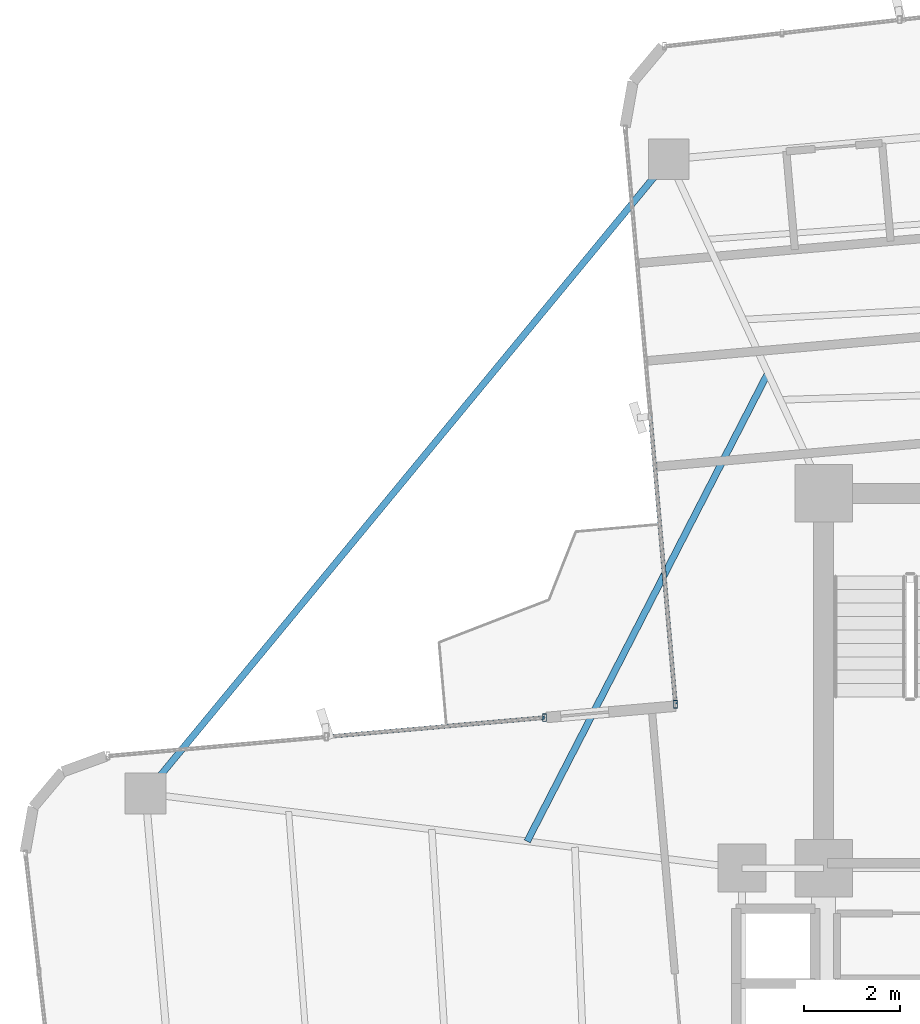
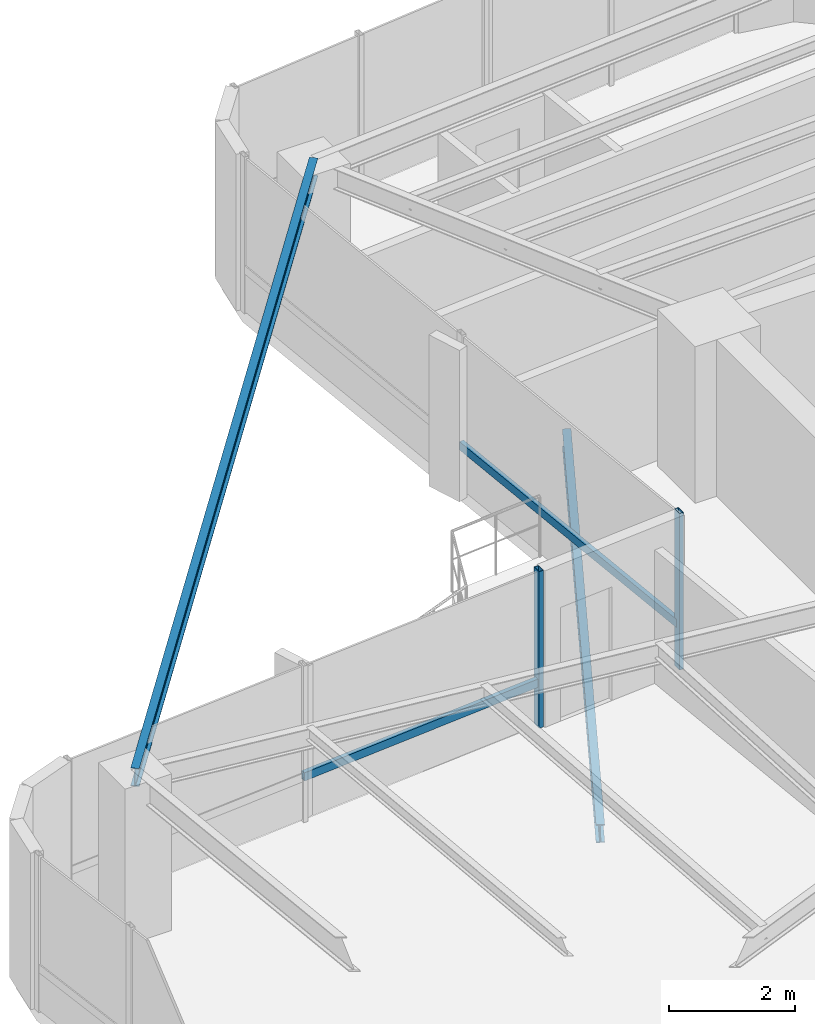
# One storey, part 10 of 24: 4 members, 2 beams, 2 elements without a shape of their own.
"""IFC4 building model written with IfcOpenShell, lengths in metres."""

from ifc_helpers import new_model, si_unit, direction, frame, origin, origin_2d, place, context, subcontext, project, spatial, hollow_rectangle, i_section, extrude, source, transform, mapped, material, material_profile, profile_set, type_object, element, aggregate, save


model = new_model("IFC4")

# Units and contexts
model_context = context("Model", 3, precision=1e-05, world=origin(), true_north=direction((0.0, 1.0)))
body_context = subcontext(model_context, "Body", "Model", "MODEL_VIEW")
ifc_project = project(units=[si_unit("LENGTHUNIT", "METRE"), si_unit("AREAUNIT", "SQUARE_METRE"), si_unit("VOLUMEUNIT", "CUBIC_METRE"), si_unit("PLANEANGLEUNIT", "RADIAN"), si_unit("MASSUNIT", "GRAM", prefix="KILO")], contexts=[model_context])

# Site, building, storey
site_placement = place(None, origin())
site = spatial("IfcSite", under=ifc_project, at=site_placement, CompositionType="ELEMENT")
building_placement = place(site_placement, origin())
building = spatial("IfcBuilding", under=site, at=building_placement, Name="Sahyath Konkavel Grand Hotel", CompositionType="ELEMENT")
storey_placement = place(building_placement, frame((0.0, 0.0, 198.64990234375)))
storey = spatial("IfcBuildingStorey", under=building, at=storey_placement, Name="L55", CompositionType="ELEMENT", Elevation=198.64990234375)

# Beam
ifc_material_1 = material(Name="Steel E350", Category="steel")
ifc_material_profile_1 = material_profile(ifc_material_1, i_section(OverallWidth=0.139892578125, OverallDepth=0.35009765625, WebThickness=0.008056640625, FlangeThickness=0.01416015625, FilletRadius=0.013916015625, at=origin_2d()), Name="ISMB 350")
ifc_profile_set_1 = profile_set([ifc_material_profile_1], Name="Steel E350")
beam_type_1 = type_object("IfcBeamType", Name="BM-ISMB350", PredefinedType="BEAM", material=ifc_profile_set_1)
shared_shape_1 = source(origin(), body_context, "Body", "SweptSolid", [
    extrude(i_section(OverallWidth=0.139892578125, OverallDepth=0.35009765625, WebThickness=0.008056640625, FlangeThickness=0.01416015625, FilletRadius=0.013916015625, at=origin_2d()), origin(), (0.0, 0.0, 1.0), 17.112548828125),
])
beam_1_placement = place(storey_placement, frame((-7.021728515625, 17.1533203125, 2.85498046875), z_axis=(-0.636437070092, -0.77132863023, 0.0), x_axis=(0.77132863023, -0.636437070092, 0.0)))
element("IfcBeam", 1, at=beam_1_placement, inside=storey, type_object=beam_type_1, Name="L55 Re-Entrant Tie Beam NW", PredefinedType="BEAM", context=body_context, shape_type="MappedRepresentation", body=[
    mapped(shared_shape_1, transform((0.0, 0.0, 0.0), scale=1.0)),
])

# Curtain wall, member
ifc_material_2 = material(Name="Anodised Bronze Aluminium & Low-E Glazing", Category="aluminium")
curtain_wall_type = type_object("IfcCurtainWallType", Name="CW-ZONE3", PredefinedType="NOTDEFINED", material=ifc_material_2)
curtain_wall_1_placement = place(storey_placement, origin())
curtain_wall_1 = element("IfcCurtainWall", 2, at=curtain_wall_1_placement, inside=storey, type_object=curtain_wall_type, Name="L55 Unitised Curtain Wall F15", PredefinedType="NOTDEFINED")
ifc_material_3 = material(Name="Anodised Bronze Aluminium", Category="aluminium")
ifc_material_profile_2 = material_profile(ifc_material_3, hollow_rectangle(XDim=0.080078125, YDim=0.159912109375, WallThickness=0.006103515625, at=origin_2d()), Name="RHS 160x80x6")
ifc_profile_set_2 = profile_set([ifc_material_profile_2], Name="Anodised Bronze Aluminium")
member_type_1 = type_object("IfcMemberType", Name="CW-MUL-160", PredefinedType="MULLION", material=ifc_profile_set_2)
shared_shape_2 = source(origin(), body_context, "Body", "SweptSolid", [
    extrude(hollow_rectangle(XDim=0.080078125, YDim=0.159912109375, WallThickness=0.006103515625, at=origin_2d()), origin(), (0.0, 0.0, 1.0), 3.030029296875),
])
member_1_placement = place(storey_placement, frame((-6.8828125, 5.812255859375, 0.0), z_axis=(0.0, 0.0, 1.0), x_axis=(1.0, 0.0, 0.0)))
member_1 = element("IfcMember", 3, at=member_1_placement, type_object=member_type_1, Name="L55 Curtain Wall Mullion F15-2", PredefinedType="MULLION", context=body_context, shape_type="MappedRepresentation", body=[
    mapped(shared_shape_2, transform((0.0, 0.0, 0.0), scale=1.0)),
])

# Curtain wall, members
curtain_wall_2_placement = place(storey_placement, origin())
curtain_wall_2 = element("IfcCurtainWall", 4, at=curtain_wall_2_placement, inside=storey, type_object=curtain_wall_type, Name="L55 Unitised Curtain Wall F16", PredefinedType="NOTDEFINED")
member_2_placement = place(storey_placement, frame((-9.60888671875, 5.53369140625, 0.0), z_axis=(0.0, 0.0, 1.0), x_axis=(1.0, 0.0, 0.0)))
member_2 = element("IfcMember", 5, at=member_2_placement, type_object=member_type_1, Name="L55 Curtain Wall Mullion F16-0", PredefinedType="MULLION", context=body_context, shape_type="MappedRepresentation", body=[
    mapped(shared_shape_2, transform((0.0, 0.0, 0.0), scale=1.0)),
])
ifc_material_profile_3 = material_profile(ifc_material_3, hollow_rectangle(XDim=0.080078125, YDim=0.159912109375, WallThickness=0.006103515625, at=origin_2d()), Name="RHS 160x80x6")
ifc_profile_set_3 = profile_set([ifc_material_profile_3], Name="Anodised Bronze Aluminium")
member_type_2 = type_object("IfcMemberType", Name="CW-TRN-160", PredefinedType="USERDEFINED", material=ifc_profile_set_3)
shared_shape_3 = source(origin(), body_context, "Body", "SweptSolid", [
    extrude(hollow_rectangle(XDim=0.080078125, YDim=0.159912109375, WallThickness=0.006103515625, at=origin_2d()), origin(), (0.0, 0.0, 1.0), 4.56005859375),
])
member_3_placement = place(storey_placement, frame((-9.60888671875, 5.53369140625, 0.85009765625), z_axis=(-0.996189590376, -0.087214104516, 0.0), x_axis=(0.087214104516, -0.996189590376, 0.0)))
member_3 = element("IfcMember", 6, at=member_3_placement, type_object=member_type_2, Name="L55 Curtain Wall Transom F16-0-spandrel", ObjectType="TRANSOM", PredefinedType="USERDEFINED", context=body_context, shape_type="MappedRepresentation", body=[
    mapped(shared_shape_3, transform((0.0, 0.0, 0.0), scale=1.0)),
])
aggregate(curtain_wall_2, [member_2, member_3])

# Member
shared_shape_4 = source(origin(), body_context, "Body", "SweptSolid", [
    extrude(hollow_rectangle(XDim=0.080078125, YDim=0.159912109375, WallThickness=0.006103515625, at=origin_2d()), origin(), (0.0, 0.0, 1.0), 6.010009765625),
])
member_4_placement = place(storey_placement, frame((-7.406494140625, 11.79931640625, 0.85009765625), z_axis=(0.087136210597, -0.996196406741, 0.0), x_axis=(0.996196406741, 0.087136210597, 0.0)))
member_4 = element("IfcMember", 7, at=member_4_placement, type_object=member_type_2, Name="L55 Curtain Wall Transom F15-1-spandrel", ObjectType="TRANSOM", PredefinedType="USERDEFINED", context=body_context, shape_type="MappedRepresentation", body=[
    mapped(shared_shape_4, transform((0.0, 0.0, 0.0), scale=1.0)),
])

aggregate(curtain_wall_1, [member_1, member_4])

# Beam
ifc_material_profile_4 = material_profile(ifc_material_1, i_section(OverallWidth=0.139892578125, OverallDepth=0.35009765625, WebThickness=0.008056640625, FlangeThickness=0.01416015625, FilletRadius=0.013916015625, at=origin_2d()), Name="ISMB 350")
ifc_profile_set_4 = profile_set([ifc_material_profile_4], Name="Steel E350")
beam_type_2 = type_object("IfcBeamType", Name="BM-BALC-CANT", PredefinedType="BEAM", material=ifc_profile_set_4)
shared_shape_5 = source(origin(), body_context, "Body", "SweptSolid", [
    extrude(i_section(OverallWidth=0.139892578125, OverallDepth=0.35009765625, WebThickness=0.008056640625, FlangeThickness=0.01416015625, FilletRadius=0.013916015625, at=origin_2d()), origin(), (0.0, 0.0, 1.0), 10.95556640625),
])
beam_2_placement = place(storey_placement, frame((-4.959716796875, 12.703125, -0.414794921875), z_axis=(-0.457186878355, -0.889370652912, 0.0), x_axis=(0.889370652912, -0.457186878355, 0.0)))
element("IfcBeam", 8, at=beam_2_placement, inside=storey, type_object=beam_type_2, Name="L55 Balcony Cantilever Support Beam NW", PredefinedType="BEAM", context=body_context, shape_type="MappedRepresentation", body=[
    mapped(shared_shape_5, transform((0.0, 0.0, 0.0), scale=1.0)),
])

save(model, "model.ifc")
